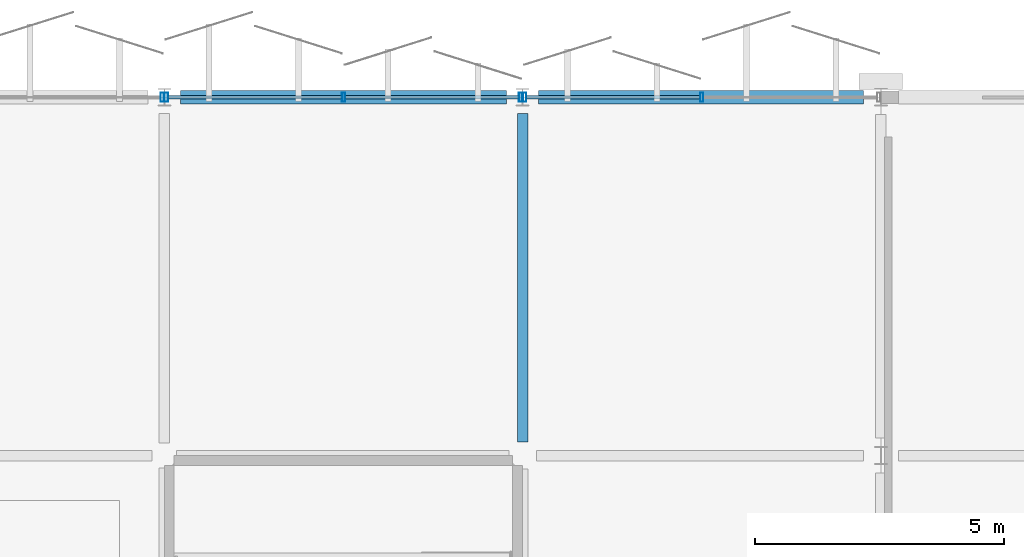
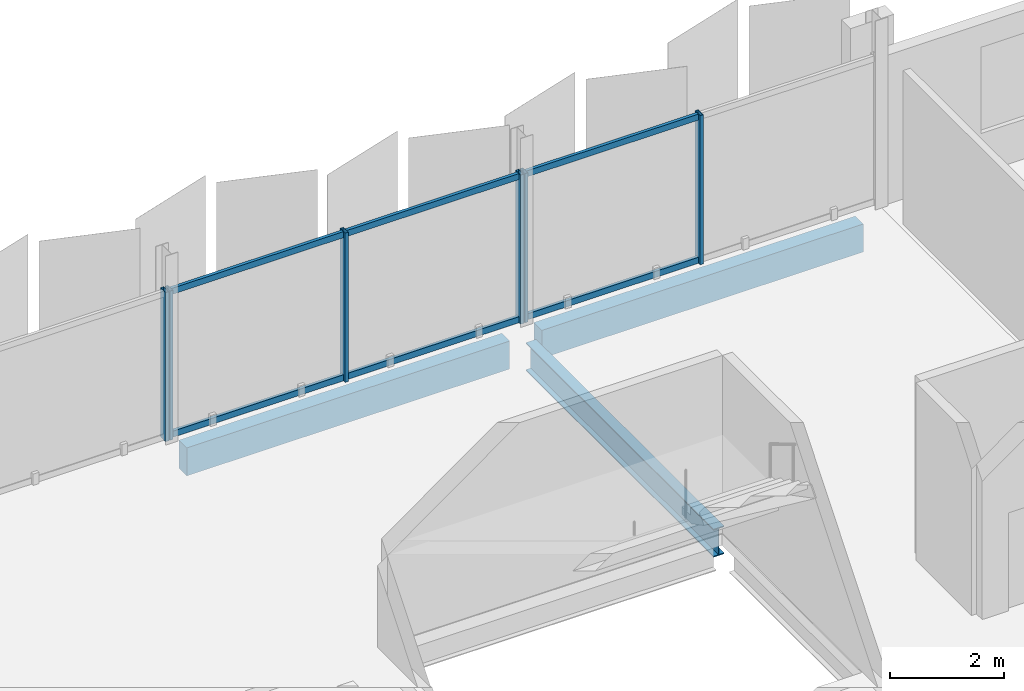
# One storey, part 55 of 91: 12 members, 3 beams, 3 elements without a shape of their own.
"""IFC4 building model written with IfcOpenShell, lengths in metres."""

from ifc_helpers import new_model, si_unit, direction, frame, origin, origin_2d, place, context, subcontext, project, spatial, rectangle, hollow_rectangle, i_section, extrude, material, layer, layer_set, material_profile, profile_set, type_object, element, aggregate, save


model = new_model("IFC4")

# Units and contexts
model_context = context("Model", 3, precision=1e-05, world=origin(), true_north=direction((0.0, 1.0)))
body_context = subcontext(model_context, "Body", "Model", "MODEL_VIEW")
ifc_project = project(units=[si_unit("LENGTHUNIT", "METRE"), si_unit("AREAUNIT", "SQUARE_METRE"), si_unit("VOLUMEUNIT", "CUBIC_METRE"), si_unit("PLANEANGLEUNIT", "RADIAN"), si_unit("MASSUNIT", "GRAM", prefix="KILO")], contexts=[model_context])

# Site, building, storey
site_placement = place(None, origin())
site = spatial("IfcSite", under=ifc_project, at=site_placement, CompositionType="ELEMENT")
building_placement = place(site_placement, origin())
building = spatial("IfcBuilding", under=site, at=building_placement, Name="Kangsadwip Square Police Headquarters", CompositionType="ELEMENT")
storey_placement = place(building_placement, frame((0.0, 0.0, 13.5)))
storey = spatial("IfcBuildingStorey", under=building, at=storey_placement, Name="L03", CompositionType="ELEMENT", Elevation=13.5)

# Curtain wall, member
ifc_material_1 = material(Name="Thermally broken anodised aluminium AW-6063-T6", Category="aluminium")
ifc_layer = layer(ifc_material_1, 0.159912109375)
ifc_layer_set = layer_set([ifc_layer], Name="Thermally broken anodised aluminium AW-6063-T6")
curtain_wall_type = type_object("IfcCurtainWallType", Name="UnitisedCw7180x3200", PredefinedType="NOTDEFINED", material=ifc_layer_set)
curtain_wall_1_placement = place(storey_placement, origin())
curtain_wall_1 = element("IfcCurtainWall", 1, at=curtain_wall_1_placement, inside=storey, type_object=curtain_wall_type, Name="Curtain Wall CW-L03-1224-1152", PredefinedType="NOTDEFINED")
ifc_material_2 = material(Name="Thermally broken anodised aluminium AW-6063-T6", Category="aluminium")
ifc_material_profile_1 = material_profile(ifc_material_2, hollow_rectangle(XDim=0.06494140625, YDim=0.179931640625, WallThickness=0.00390625, at=origin_2d()), Name="CWM 180X65X4")
ifc_profile_set_1 = profile_set([ifc_material_profile_1], Name="Thermally broken anodised aluminium AW-6063-T6")
member_type_1 = type_object("IfcMemberType", Name="CwMullion160x65", PredefinedType="MULLION", material=ifc_profile_set_1)
member_1_placement = place(storey_placement, frame((129.5576171875, 115.199951171875, 0.0), z_axis=(0.0, 0.0, 1.0), x_axis=(1.0, 0.0, 0.0)))
member_1 = element("IfcMember", 2, at=member_1_placement, type_object=member_type_1, Name="CW-38 mullion 3", PredefinedType="MULLION", context=body_context, shape_type="SweptSolid", body=[
    extrude(hollow_rectangle(XDim=0.06494140625, YDim=0.179931640625, WallThickness=0.00390625, at=origin_2d()), origin(), (0.0, 0.0, 1.0), 3.199951171875),
])
aggregate(curtain_wall_1, [member_1])

# Curtain wall, members
curtain_wall_2_placement = place(storey_placement, origin())
curtain_wall_2 = element("IfcCurtainWall", 3, at=curtain_wall_2_placement, inside=storey, type_object=curtain_wall_type, Name="Curtain Wall CW-L03-1296-1152", PredefinedType="NOTDEFINED")
member_2_placement = place(storey_placement, frame((129.642578125, 115.199951171875, 0.0), z_axis=(0.0, 0.0, 1.0), x_axis=(1.0, 0.0, 0.0)))
member_2 = element("IfcMember", 4, at=member_2_placement, type_object=member_type_1, Name="CW-38 mullion 1", PredefinedType="MULLION", context=body_context, shape_type="SweptSolid", body=[
    extrude(hollow_rectangle(XDim=0.06494140625, YDim=0.179931640625, WallThickness=0.00390625, at=origin_2d()), origin(), (0.0, 0.0, 1.0), 3.199951171875),
])
member_3_placement = place(storey_placement, frame((133.199951171875, 115.199951171875, 0.0), z_axis=(0.0, 0.0, 1.0), x_axis=(1.0, 0.0, 0.0)))
member_3 = element("IfcMember", 5, at=member_3_placement, type_object=member_type_1, Name="CW-38 mullion 2", PredefinedType="MULLION", context=body_context, shape_type="SweptSolid", body=[
    extrude(hollow_rectangle(XDim=0.06494140625, YDim=0.179931640625, WallThickness=0.00390625, at=origin_2d()), origin(), (0.0, 0.0, 1.0), 3.199951171875),
])
member_4_placement = place(storey_placement, frame((136.757568359375, 115.199951171875, 0.0), z_axis=(0.0, 0.0, 1.0), x_axis=(1.0, 0.0, 0.0)))
member_4 = element("IfcMember", 6, at=member_4_placement, type_object=member_type_1, Name="CW-38 mullion 3", PredefinedType="MULLION", context=body_context, shape_type="SweptSolid", body=[
    extrude(hollow_rectangle(XDim=0.06494140625, YDim=0.179931640625, WallThickness=0.00390625, at=origin_2d()), origin(), (0.0, 0.0, 1.0), 3.199951171875),
])

curtain_wall_3_placement = place(storey_placement, origin())
curtain_wall_3 = element("IfcCurtainWall", 7, at=curtain_wall_3_placement, inside=storey, type_object=curtain_wall_type, Name="Curtain Wall CW-L03-1368-1152", PredefinedType="NOTDEFINED")
member_5_placement = place(storey_placement, frame((136.842529296875, 115.199951171875, 0.0), z_axis=(0.0, 0.0, 1.0), x_axis=(1.0, 0.0, 0.0)))
member_5 = element("IfcMember", 8, at=member_5_placement, type_object=member_type_1, Name="CW-38 mullion 1", PredefinedType="MULLION", context=body_context, shape_type="SweptSolid", body=[
    extrude(hollow_rectangle(XDim=0.06494140625, YDim=0.179931640625, WallThickness=0.00390625, at=origin_2d()), origin(), (0.0, 0.0, 1.0), 3.199951171875),
])
member_6_placement = place(storey_placement, frame((140.39990234375, 115.199951171875, 0.0), z_axis=(0.0, 0.0, 1.0), x_axis=(1.0, 0.0, 0.0)))
member_6 = element("IfcMember", 9, at=member_6_placement, type_object=member_type_1, Name="CW-38 mullion 2", PredefinedType="MULLION", context=body_context, shape_type="SweptSolid", body=[
    extrude(hollow_rectangle(XDim=0.06494140625, YDim=0.179931640625, WallThickness=0.00390625, at=origin_2d()), origin(), (0.0, 0.0, 1.0), 3.199951171875),
])

# Member
ifc_material_3 = material(Name="Thermally broken anodised aluminium AW-6063-T6", Category="aluminium")
ifc_material_profile_2 = material_profile(ifc_material_3, hollow_rectangle(XDim=0.06494140625, YDim=0.1298828125, WallThickness=0.00390625, at=origin_2d()), Name="CWT 130X65X4")
ifc_profile_set_2 = profile_set([ifc_material_profile_2], Name="Thermally broken anodised aluminium AW-6063-T6")
member_type_2 = type_object("IfcMemberType", Name="CwTransom140x60", PredefinedType="USERDEFINED", material=ifc_profile_set_2)
member_7_placement = place(storey_placement, frame((129.675048828125, 115.199951171875, 0.06494140625), z_axis=(1.0, 0.0, 0.0), x_axis=(0.0, 1.0, 0.0)))
member_7 = element("IfcMember", 10, at=member_7_placement, type_object=member_type_2, Name="CW-38 transom 1.1", ObjectType="TRANSOM", PredefinedType="USERDEFINED", context=body_context, shape_type="SweptSolid", body=[
    extrude(hollow_rectangle(XDim=0.06494140625, YDim=0.1298828125, WallThickness=0.00390625, at=origin_2d()), origin(), (0.0, 0.0, 1.0), 3.492431640625),
])

member_8_placement = place(storey_placement, frame((129.675048828125, 115.199951171875, 3.135009765625), z_axis=(1.0, 0.0, 0.0), x_axis=(0.0, 1.0, 0.0)))
member_8 = element("IfcMember", 11, at=member_8_placement, type_object=member_type_2, Name="CW-38 transom 1.2", ObjectType="TRANSOM", PredefinedType="USERDEFINED", context=body_context, shape_type="SweptSolid", body=[
    extrude(hollow_rectangle(XDim=0.06494140625, YDim=0.1298828125, WallThickness=0.00390625, at=origin_2d()), origin(), (0.0, 0.0, 1.0), 3.492431640625),
])

member_9_placement = place(storey_placement, frame((133.232421875, 115.199951171875, 0.06494140625), z_axis=(1.0, 0.0, 0.0), x_axis=(0.0, 1.0, 0.0)))
member_9 = element("IfcMember", 12, at=member_9_placement, type_object=member_type_2, Name="CW-38 transom 2.1", ObjectType="TRANSOM", PredefinedType="USERDEFINED", context=body_context, shape_type="SweptSolid", body=[
    extrude(hollow_rectangle(XDim=0.06494140625, YDim=0.1298828125, WallThickness=0.00390625, at=origin_2d()), origin(), (0.0, 0.0, 1.0), 3.49267578125),
])

member_10_placement = place(storey_placement, frame((133.232421875, 115.199951171875, 3.135009765625), z_axis=(1.0, 0.0, 0.0), x_axis=(0.0, 1.0, 0.0)))
member_10 = element("IfcMember", 13, at=member_10_placement, type_object=member_type_2, Name="CW-38 transom 2.2", ObjectType="TRANSOM", PredefinedType="USERDEFINED", context=body_context, shape_type="SweptSolid", body=[
    extrude(hollow_rectangle(XDim=0.06494140625, YDim=0.1298828125, WallThickness=0.00390625, at=origin_2d()), origin(), (0.0, 0.0, 1.0), 3.49267578125),
])

aggregate(curtain_wall_2, [member_2, member_3, member_4, member_7, member_8, member_9, member_10])

member_11_placement = place(storey_placement, frame((136.875, 115.199951171875, 0.06494140625), z_axis=(1.0, 0.0, 0.0), x_axis=(0.0, 1.0, 0.0)))
member_11 = element("IfcMember", 14, at=member_11_placement, type_object=member_type_2, Name="CW-38 transom 1.1", ObjectType="TRANSOM", PredefinedType="USERDEFINED", context=body_context, shape_type="SweptSolid", body=[
    extrude(hollow_rectangle(XDim=0.06494140625, YDim=0.1298828125, WallThickness=0.00390625, at=origin_2d()), origin(), (0.0, 0.0, 1.0), 3.492431640625),
])

member_12_placement = place(storey_placement, frame((136.875, 115.199951171875, 3.135009765625), z_axis=(1.0, 0.0, 0.0), x_axis=(0.0, 1.0, 0.0)))
member_12 = element("IfcMember", 15, at=member_12_placement, type_object=member_type_2, Name="CW-38 transom 1.2", ObjectType="TRANSOM", PredefinedType="USERDEFINED", context=body_context, shape_type="SweptSolid", body=[
    extrude(hollow_rectangle(XDim=0.06494140625, YDim=0.1298828125, WallThickness=0.00390625, at=origin_2d()), origin(), (0.0, 0.0, 1.0), 3.492431640625),
])

aggregate(curtain_wall_3, [member_5, member_6, member_11, member_12])

# Beams
ifc_material_4 = material(Name="Concrete M40 (40 MPa)", Category="concrete")
ifc_material_profile_3 = material_profile(ifc_material_4, rectangle(XDim=0.280029296875, YDim=0.60009765625, at=origin_2d()), Name="RC SPN 600X280")
ifc_profile_set_3 = profile_set([ifc_material_profile_3], Name="Concrete M40 (40 MPa)")
beam_type_1 = type_object("IfcBeamType", Name="RcSpandrel600x280", PredefinedType="SPANDREL", material=ifc_profile_set_3)
beam_1_placement = place(storey_placement, frame((129.925048828125, 115.199951171875, -0.5400390625), z_axis=(1.0, 0.0, 0.0), x_axis=(0.0, 1.0, 0.0)))
element("IfcBeam", 16, at=beam_1_placement, inside=storey, type_object=beam_type_1, Name="Beam BM-L03-X-18-16", PredefinedType="SPANDREL", context=body_context, shape_type="SweptSolid", body=[
    extrude(rectangle(XDim=0.280029296875, YDim=0.60009765625, at=origin_2d()), origin(), (0.0, 0.0, 1.0), 6.550048828125),
])
beam_2_placement = place(storey_placement, frame((137.125, 115.199951171875, -0.5400390625), z_axis=(1.0, 0.0, 0.0), x_axis=(0.0, 1.0, 0.0)))
element("IfcBeam", 17, at=beam_2_placement, inside=storey, type_object=beam_type_1, Name="Beam BM-L03-X-19-16", PredefinedType="SPANDREL", context=body_context, shape_type="SweptSolid", body=[
    extrude(rectangle(XDim=0.280029296875, YDim=0.60009765625, at=origin_2d()), origin(), (0.0, 0.0, 1.0), 6.52490234375),
])
ifc_material_5 = material(Name="Structural steel IS 2062 E350 (Grade 350, 350 MPa)", Category="steel")
ifc_material_profile_4 = material_profile(ifc_material_5, i_section(OverallWidth=0.2099609375, OverallDepth=0.60009765625, WebThickness=0.011962890625, FlangeThickness=0.020751953125, at=origin_2d()), Name="ISMB 600")
ifc_profile_set_4 = profile_set([ifc_material_profile_4], Name="Structural steel IS 2062 E350 (Grade 350, 350 MPa)")
beam_type_2 = type_object("IfcBeamType", Name="SteelBeamIsmb600", PredefinedType="BEAM", material=ifc_profile_set_4)
beam_3_placement = place(storey_placement, frame((136.800048828125, 108.27490234375, -0.5400390625), z_axis=(0.0, 1.0, 0.0), x_axis=(-1.0, 0.0, 0.0)))
element("IfcBeam", 18, at=beam_3_placement, inside=storey, type_object=beam_type_2, Name="Beam BM-L03-Y-19-15", PredefinedType="BEAM", context=body_context, shape_type="SweptSolid", body=[
    extrude(i_section(OverallWidth=0.2099609375, OverallDepth=0.60009765625, WebThickness=0.011962890625, FlangeThickness=0.020751953125, at=origin_2d()), origin(), (0.0, 0.0, 1.0), 6.60009765625),
])

save(model, "model.ifc")
